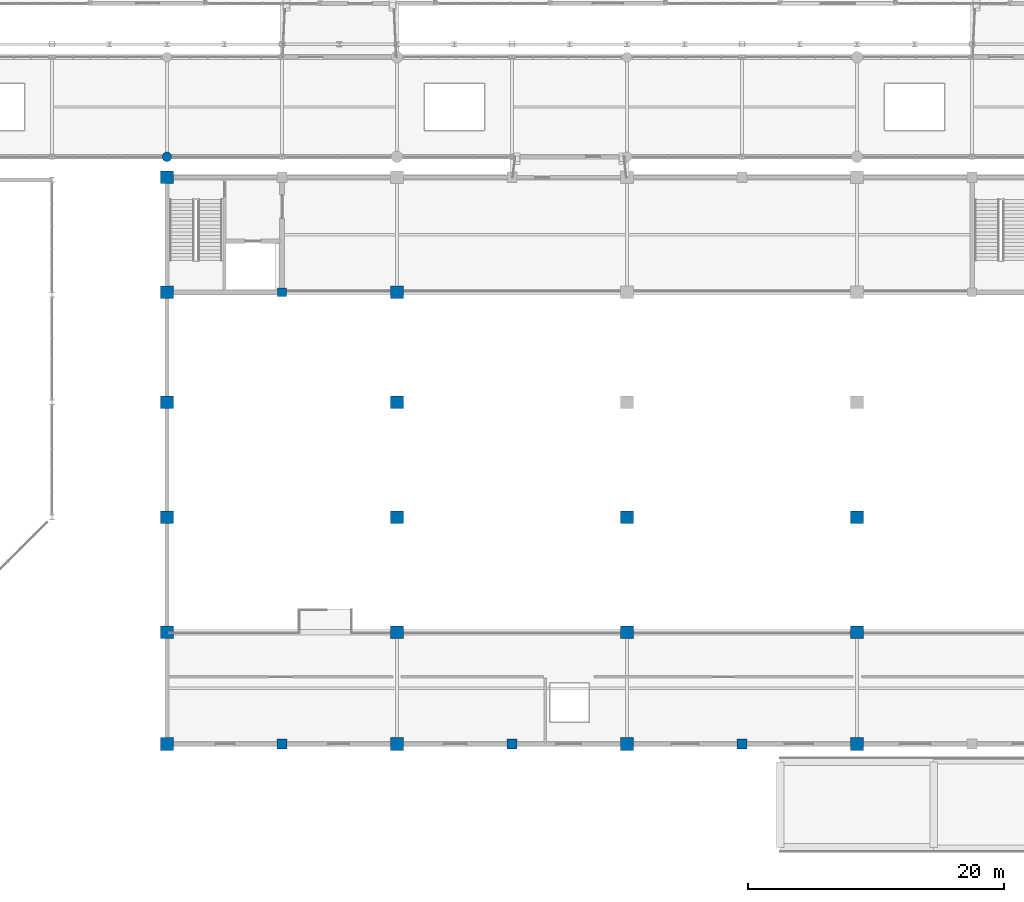
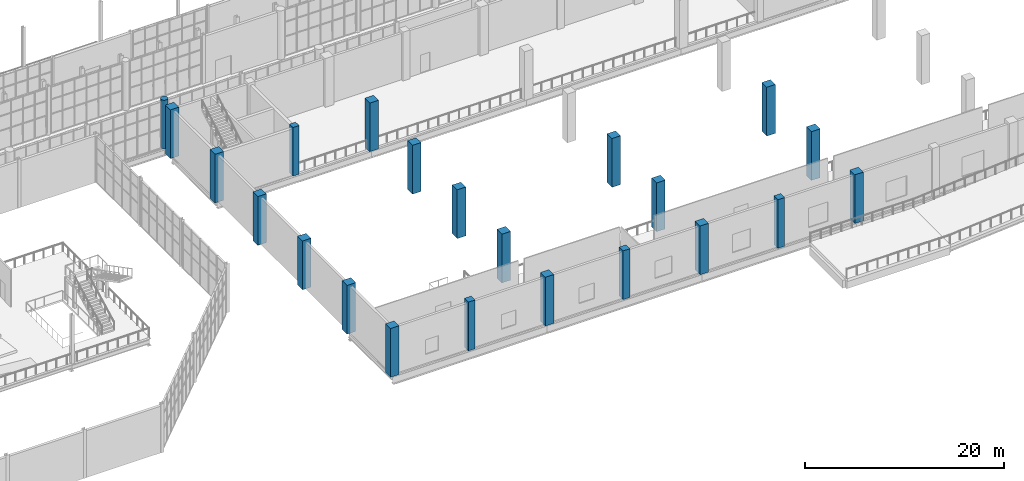
# One storey, part 5 of 159: 22 columns.
"""IFC4 building model written with IfcOpenShell, lengths in metres."""

from ifc_helpers import new_model, si_unit, direction, frame, origin, origin_2d, place, context, subcontext, project, spatial, rectangle, circle, extrude, material, material_profile, profile_set, type_object, element, save


model = new_model("IFC4")

# Units and contexts
model_context = context("Model", 3, precision=1e-05, world=origin(), true_north=direction((0.0, 1.0)))
body_context = subcontext(model_context, "Body", "Model", "MODEL_VIEW")
ifc_project = project(units=[si_unit("LENGTHUNIT", "METRE"), si_unit("AREAUNIT", "SQUARE_METRE"), si_unit("VOLUMEUNIT", "CUBIC_METRE"), si_unit("PLANEANGLEUNIT", "RADIAN"), si_unit("MASSUNIT", "GRAM", prefix="KILO")], contexts=[model_context])

# Site, building, storey
site_placement = place(None, origin())
site = spatial("IfcSite", under=ifc_project, at=site_placement, CompositionType="ELEMENT")
building_placement = place(site_placement, origin())
building = spatial("IfcBuilding", under=site, at=building_placement, Name="Cazmaro Siding Exhibition Halls", CompositionType="ELEMENT")
storey_placement = place(building_placement, frame((0.0, 0.0, 6.0)))
storey = spatial("IfcBuildingStorey", under=building, at=storey_placement, Name="L01", CompositionType="ELEMENT", Elevation=6.0)

# Columns
ifc_material_1 = material(Name="Concrete f'c 45 MPa", Category="concrete")
ifc_material_profile_1 = material_profile(ifc_material_1, rectangle(XDim=1.0, YDim=1.0, at=origin_2d()), Name="RC1000X1000")
ifc_profile_set_1 = profile_set([ifc_material_profile_1], Name="Concrete f'c 45 MPa")
column_type_1 = type_object("IfcColumnType", Name="C-07", PredefinedType="COLUMN", material=ifc_profile_set_1)
for number, where, z_axis, x_axis, name in (
    (1, (72.0, 9.25, 0.0), (0.0, 0.0, 1.0), (1.0, 0.0, 0.0), "Column C-07 COL-0458"),
    (2, (72.0, 18.0, 0.0), (0.0, 0.0, 1.0), (1.0, 0.0, 0.0), "Column C-07 COL-0460"),
    (3, (72.0, 27.0, 0.0), (0.0, 0.0, 1.0), (1.0, 0.0, 0.0), "Column C-07 COL-0462"),
    (4, (72.0, 36.0, 0.0), (0.0, 0.0, 1.0), (1.0, 0.0, 0.0), "Column C-07 COL-0464"),
    (5, (72.0, 44.60009765625, 0.0), (0.0, 0.0, 1.0), (1.0, 0.0, 0.0), "Column C-07 COL-0466"),
    (6, (72.0, 53.60009765625, 0.0), (0.0, 0.0, 1.0), (1.0, 0.0, 0.0), "Column C-07 COL-0468"),
    (7, (90.0, 9.25, 0.0), (0.0, 0.0, 1.0), (1.0, 0.0, 0.0), "Column C-07 COL-0470"),
    (8, (90.0, 18.0, 0.0), (0.0, 0.0, 1.0), (1.0, 0.0, 0.0), "Column C-07 COL-0472"),
    (9, (90.0, 27.0, 0.0), (0.0, 0.0, 1.0), (1.0, 0.0, 0.0), "Column C-07 COL-0474"),
    (10, (90.0, 36.0, 0.0), (0.0, 0.0, 1.0), (1.0, 0.0, 0.0), "Column C-07 COL-0476"),
    (11, (90.0, 44.60009765625, 0.0), (0.0, 0.0, 1.0), (1.0, 0.0, 0.0), "Column C-07 COL-0478"),
    (12, (108.0, 9.25, 0.0), (0.0, 0.0, 1.0), (1.0, 0.0, 0.0), "Column C-07 COL-0482"),
    (13, (108.0, 18.0, 0.0), (0.0, 0.0, 1.0), (1.0, 0.0, 0.0), "Column C-07 COL-0484"),
    (14, (108.0, 27.0, 0.0), (0.0, 0.0, 1.0), (1.0, 0.0, 0.0), "Column C-07 COL-0486"),
    (15, (126.0, 9.25, 0.0), (0.0, 0.0, 1.0), (1.0, 0.0, 0.0), "Column C-07 COL-0494"),
    (16, (126.0, 18.0, 0.0), (0.0, 0.0, 1.0), (1.0, 0.0, 0.0), "Column C-07 COL-0496"),
    (17, (126.0, 27.0, 0.0), (0.0, 0.0, 1.0), (1.0, 0.0, 0.0), "Column C-07 COL-0498"),
):
    element("IfcColumn", number, at=place(storey_placement, frame(where, z_axis=z_axis, x_axis=x_axis)), inside=storey, type_object=column_type_1, Name=name, PredefinedType="COLUMN", context=body_context, shape_type="SweptSolid", body=[
        extrude(rectangle(XDim=1.0, YDim=1.0, at=origin_2d()), origin(), (0.0, 0.0, 1.0), 6.0),
    ])
ifc_material_2 = material(Name="Concrete f'c 45 MPa", Category="concrete")
ifc_material_profile_2 = material_profile(ifc_material_2, rectangle(XDim=0.800048828125, YDim=0.800048828125, at=origin_2d()), Name="RC800X800")
ifc_profile_set_2 = profile_set([ifc_material_profile_2], Name="Concrete f'c 45 MPa")
column_type_2 = type_object("IfcColumnType", Name="C-08", PredefinedType="COLUMN", material=ifc_profile_set_2)
for number, where, z_axis, x_axis, name in (
    (18, (81.0, 9.25, 0.0), (0.0, 0.0, 1.0), (1.0, 0.0, 0.0), "Column C-08 COL-0570"),
    (19, (99.0, 9.25, 0.0), (0.0, 0.0, 1.0), (1.0, 0.0, 0.0), "Column C-08 COL-0582"),
    (20, (117.0, 9.25, 0.0), (0.0, 0.0, 1.0), (1.0, 0.0, 0.0), "Column C-08 COL-0594"),
):
    element("IfcColumn", number, at=place(storey_placement, frame(where, z_axis=z_axis, x_axis=x_axis)), inside=storey, type_object=column_type_2, Name=name, PredefinedType="COLUMN", context=body_context, shape_type="SweptSolid", body=[
        extrude(rectangle(XDim=0.800048828125, YDim=0.800048828125, at=origin_2d()), origin(), (0.0, 0.0, 1.0), 6.0),
    ])
ifc_material_3 = material(Name="Concrete f'c 45 MPa", Category="concrete")
ifc_material_profile_3 = material_profile(ifc_material_3, rectangle(XDim=0.699951171875, YDim=0.699951171875, at=origin_2d()), Name="RC700X700")
ifc_profile_set_3 = profile_set([ifc_material_profile_3], Name="Concrete f'c 45 MPa")
column_type_3 = type_object("IfcColumnType", Name="C-15", PredefinedType="COLUMN", material=ifc_profile_set_3)
column_1_placement = place(storey_placement, frame((81.0, 44.60009765625, 0.0), z_axis=(0.0, 0.0, 1.0), x_axis=(1.0, 0.0, 0.0)))
element("IfcColumn", 21, at=column_1_placement, inside=storey, type_object=column_type_3, Name="Column C-15 COL-0658", PredefinedType="COLUMN", context=body_context, shape_type="SweptSolid", body=[
    extrude(rectangle(XDim=0.699951171875, YDim=0.699951171875, at=origin_2d()), origin(), (0.0, 0.0, 1.0), 6.0),
])
ifc_material_4 = material(Name="Concrete f'c 45 MPa", Category="concrete")
ifc_material_profile_4 = material_profile(ifc_material_4, circle(Radius=0.375, at=origin_2d()), Name="RC750DIA")
ifc_profile_set_4 = profile_set([ifc_material_profile_4], Name="Concrete f'c 45 MPa")
column_type_4 = type_object("IfcColumnType", Name="PL-03", PredefinedType="PILASTER", material=ifc_profile_set_4)
column_2_placement = place(storey_placement, frame((72.0, 55.199951171875, 0.0), z_axis=(0.0, 0.0, 1.0), x_axis=(1.0, 0.0, 0.0)))
element("IfcColumn", 22, at=column_2_placement, inside=storey, type_object=column_type_4, Name="Column PL-03 COL-0730", PredefinedType="PILASTER", context=body_context, shape_type="SweptSolid", body=[
    extrude(circle(Radius=0.375, at=origin_2d()), origin(), (0.0, 0.0, 1.0), 6.0),
])

save(model, "model.ifc")
